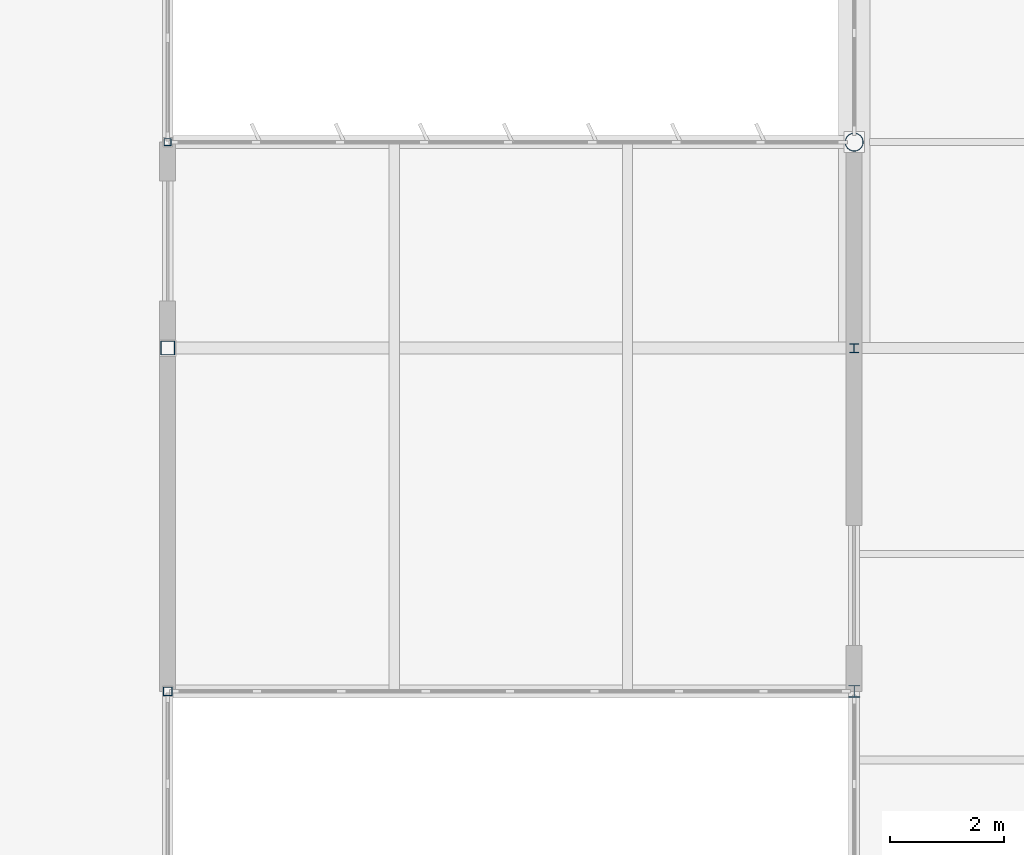
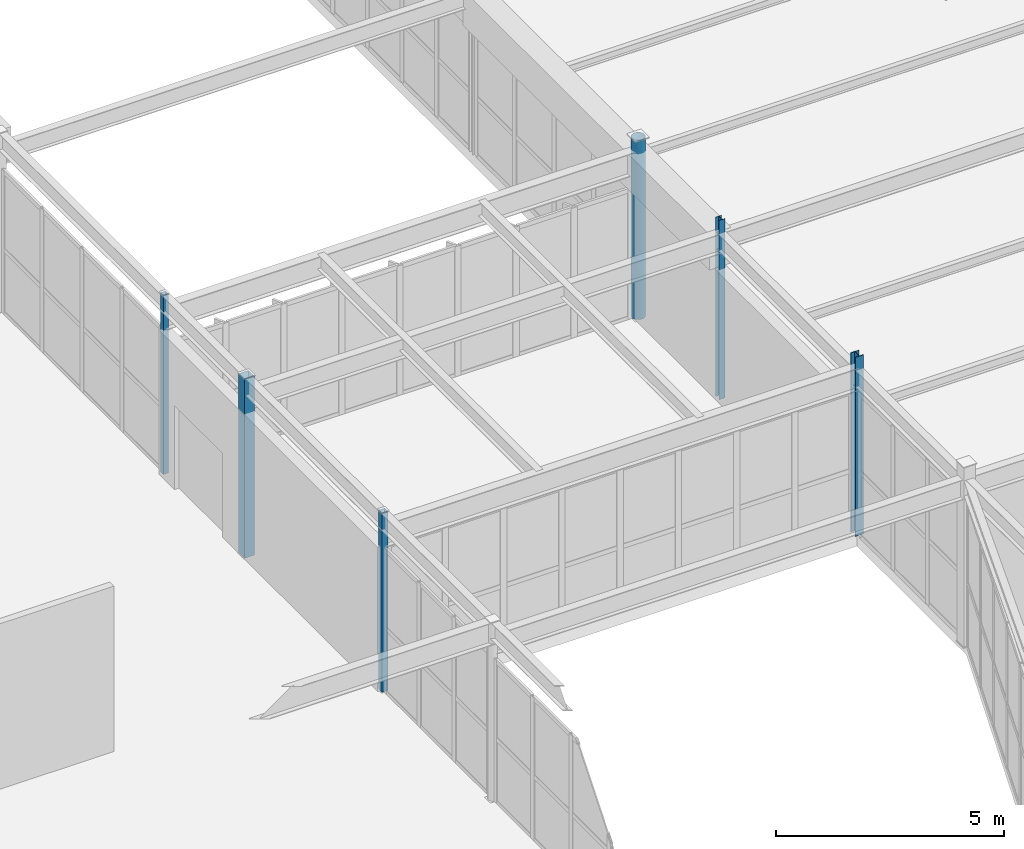
# One storey, part 48 of 186: 6 columns.
"""IFC4 building model written with IfcOpenShell, lengths in metres."""

from ifc_helpers import new_model, si_unit, direction, frame, origin, origin_2d, place, context, subcontext, project, spatial, hollow_rectangle, hollow_circle, i_section, extrude, material, material_profile, profile_set, type_object, element, save


model = new_model("IFC4")

# Units and contexts
model_context = context("Model", 3, precision=1e-05, world=origin(), true_north=direction((0.0, 1.0)))
body_context = subcontext(model_context, "Body", "Model", "MODEL_VIEW")
ifc_project = project(units=[si_unit("LENGTHUNIT", "METRE"), si_unit("AREAUNIT", "SQUARE_METRE"), si_unit("VOLUMEUNIT", "CUBIC_METRE"), si_unit("PLANEANGLEUNIT", "RADIAN"), si_unit("MASSUNIT", "GRAM", prefix="KILO")], contexts=[model_context])

# Site, building, storey
site_placement = place(None, origin())
site = spatial("IfcSite", under=ifc_project, at=site_placement, CompositionType="ELEMENT")
building_placement = place(site_placement, origin())
building = spatial("IfcBuilding", under=site, at=building_placement, Name="Tarnwether General Hospital", CompositionType="ELEMENT")
storey_placement = place(building_placement, frame((0.0, 0.0, 9.60009765625)))
storey = spatial("IfcBuildingStorey", under=building, at=storey_placement, Name="L02", CompositionType="ELEMENT", Elevation=9.60009765625)

# Columns
ifc_material_1 = material(Name="Steel Grade C350L0 (350 MPa)", Category="steel")
ifc_material_profile_1 = material_profile(ifc_material_1, hollow_rectangle(XDim=0.25, YDim=0.25, WallThickness=0.012451171875, at=origin_2d()), Name="SHS250x250x12.5")
ifc_profile_set_1 = profile_set([ifc_material_profile_1], Name="Steel Grade C350L0 (350 MPa)")
column_type_1 = type_object("IfcColumnType", Name="COL-14", PredefinedType="COLUMN", material=ifc_profile_set_1)
column_1_placement = place(storey_placement, frame((132.0, 104.39990234375, 0.0), z_axis=(0.0, 0.0, 1.0), x_axis=(0.0, 1.0, 0.0)))
element("IfcColumn", 1, at=column_1_placement, inside=storey, type_object=column_type_1, Name="Column COLG-L02-13200_10440", PredefinedType="COLUMN", context=body_context, shape_type="SweptSolid", body=[
    extrude(hollow_rectangle(XDim=0.25, YDim=0.25, WallThickness=0.012451171875, at=origin_2d()), origin(), (0.0, 0.0, 1.0), 4.7998046875),
])
ifc_material_2 = material(Name="Steel Grade 350 (350 MPa)", Category="steel")
ifc_material_profile_2 = material_profile(ifc_material_2, i_section(OverallWidth=0.205078125, OverallDepth=0.2099609375, WebThickness=0.00927734375, FlangeThickness=0.01416015625, at=origin_2d()), Name="200UC59.5")
ifc_profile_set_2 = profile_set([ifc_material_profile_2], Name="Steel Grade 350 (350 MPa)")
column_type_2 = type_object("IfcColumnType", Name="COL-25", PredefinedType="COLUMN", material=ifc_profile_set_2)
column_2_placement = place(storey_placement, frame((144.0, 98.39990234375, 0.0), z_axis=(0.0, 0.0, 1.0), x_axis=(1.0, 0.0, 0.0)))
element("IfcColumn", 2, at=column_2_placement, inside=storey, type_object=column_type_2, Name="Column COLG-L02-14400_9840", PredefinedType="COLUMN", context=body_context, shape_type="SweptSolid", body=[
    extrude(i_section(OverallWidth=0.205078125, OverallDepth=0.2099609375, WebThickness=0.00927734375, FlangeThickness=0.01416015625, at=origin_2d()), origin(), (0.0, 0.0, 1.0), 4.7998046875),
])
ifc_material_3 = material(Name="Steel Grade C350L0 (350 MPa)", Category="steel")
ifc_material_profile_3 = material_profile(ifc_material_3, hollow_circle(Radius=0.161865234375, WallThickness=0.0126953125, at=origin_2d()), Name="CHS323.9x12.7")
ifc_profile_set_3 = profile_set([ifc_material_profile_3], Name="Steel Grade C350L0 (350 MPa)")
column_type_3 = type_object("IfcColumnType", Name="COL-26", PredefinedType="COLUMN", material=ifc_profile_set_3)
column_3_placement = place(storey_placement, frame((144.0, 108.0, 0.0), z_axis=(0.0, 0.0, 1.0), x_axis=(1.0, 0.0, 0.0)))
element("IfcColumn", 3, at=column_3_placement, inside=storey, type_object=column_type_3, Name="Column COLG-L02-14400_10800", PredefinedType="COLUMN", context=body_context, shape_type="SweptSolid", body=[
    extrude(hollow_circle(Radius=0.161865234375, WallThickness=0.0126953125, at=origin_2d()), origin(), (0.0, 0.0, 1.0), 4.7998046875),
])
ifc_material_4 = material(Name="Steel Grade 350 (350 MPa)", Category="steel")
ifc_material_profile_4 = material_profile(ifc_material_4, i_section(OverallWidth=0.153076171875, OverallDepth=0.157958984375, WebThickness=0.006591796875, FlangeThickness=0.009521484375, at=origin_2d()), Name="150UC30.0")
ifc_profile_set_4 = profile_set([ifc_material_profile_4], Name="Steel Grade 350 (350 MPa)")
column_type_4 = type_object("IfcColumnType", Name="COL-31", PredefinedType="COLUMN", material=ifc_profile_set_4)
column_4_placement = place(storey_placement, frame((144.0, 104.39990234375, 0.0), z_axis=(0.0, 0.0, 1.0), x_axis=(1.0, 0.0, 0.0)))
element("IfcColumn", 4, at=column_4_placement, inside=storey, type_object=column_type_4, Name="Column COLG-L02-14400_10440", PredefinedType="COLUMN", context=body_context, shape_type="SweptSolid", body=[
    extrude(i_section(OverallWidth=0.153076171875, OverallDepth=0.157958984375, WebThickness=0.006591796875, FlangeThickness=0.009521484375, at=origin_2d()), origin(), (0.0, 0.0, 1.0), 4.7998046875),
])
ifc_material_5 = material(Name="Steel Grade C350L0 (350 MPa)", Category="steel")
ifc_material_profile_5 = material_profile(ifc_material_5, hollow_rectangle(XDim=0.14990234375, YDim=0.14990234375, WallThickness=0.008056640625, at=origin_2d()), Name="SHS150x150x8")
ifc_profile_set_5 = profile_set([ifc_material_profile_5], Name="Steel Grade C350L0 (350 MPa)")
column_type_5 = type_object("IfcColumnType", Name="COL-33", PredefinedType="COLUMN", material=ifc_profile_set_5)
column_5_placement = place(storey_placement, frame((132.0, 98.39990234375, 0.0), z_axis=(0.0, 0.0, 1.0), x_axis=(1.0, 0.0, 0.0)))
element("IfcColumn", 5, at=column_5_placement, inside=storey, type_object=column_type_5, Name="Column COLG-L02-13200_9840", PredefinedType="COLUMN", context=body_context, shape_type="SweptSolid", body=[
    extrude(hollow_rectangle(XDim=0.14990234375, YDim=0.14990234375, WallThickness=0.008056640625, at=origin_2d()), origin(), (0.0, 0.0, 1.0), 4.7998046875),
])
ifc_material_6 = material(Name="Steel Grade C350L0 (350 MPa)", Category="steel")
ifc_material_profile_6 = material_profile(ifc_material_6, hollow_rectangle(XDim=0.125, YDim=0.125, WallThickness=0.006103515625, at=origin_2d()), Name="SHS125x125x6")
ifc_profile_set_6 = profile_set([ifc_material_profile_6], Name="Steel Grade C350L0 (350 MPa)")
column_type_6 = type_object("IfcColumnType", Name="COL-34", PredefinedType="COLUMN", material=ifc_profile_set_6)
column_6_placement = place(storey_placement, frame((132.0, 108.0, 0.0), z_axis=(0.0, 0.0, 1.0), x_axis=(1.0, 0.0, 0.0)))
element("IfcColumn", 6, at=column_6_placement, inside=storey, type_object=column_type_6, Name="Column COLG-L02-13200_10800", PredefinedType="COLUMN", context=body_context, shape_type="SweptSolid", body=[
    extrude(hollow_rectangle(XDim=0.125, YDim=0.125, WallThickness=0.006103515625, at=origin_2d()), origin(), (0.0, 0.0, 1.0), 4.7998046875),
])

save(model, "model.ifc")
